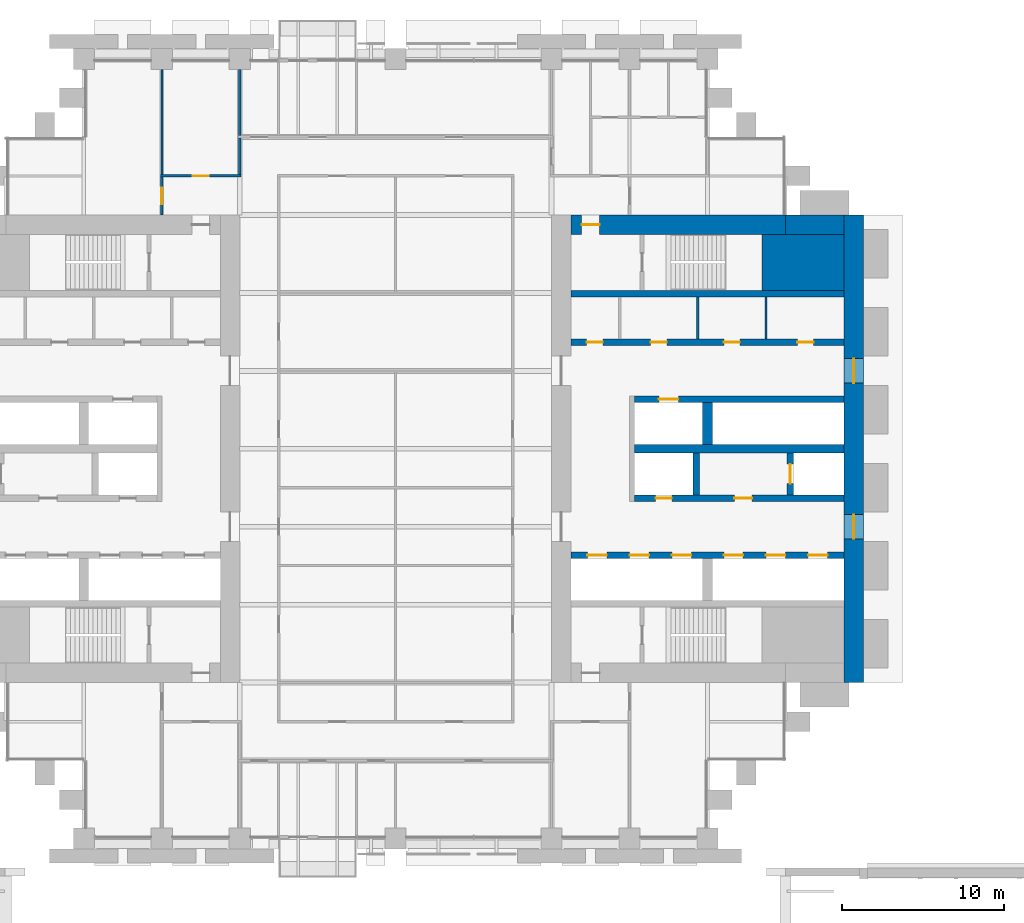
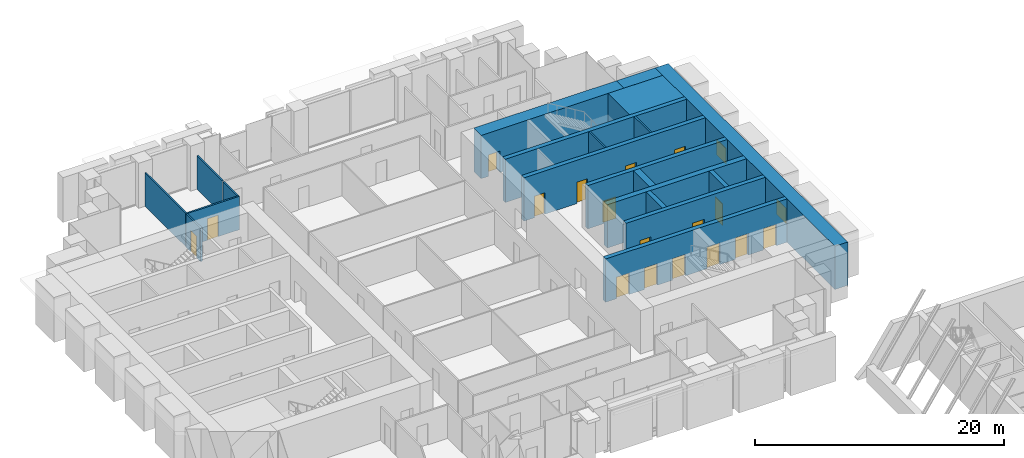
# One storey, part 26 of 32: 20 walls, 17 doors, 2 windows, 19 openings.
"""IFC4 building model written with IfcOpenShell, lengths in metres."""

import ifcopenshell
import ifcopenshell.guid

model = None  # the IFC model being written
_history = None  # IfcOwnerHistory: only IFC2X3 demands one
_inside = {}  # id of a spatial element -> (the spatial element, [elements in it])
_under = {}  # id of a project, library or spatial element -> (it, [spatial elements below it])
_declared = {}  # id of a project -> (the project, [libraries it declares])
_typed = {}  # id of a type object -> (the type object, [elements of that type])
_made_of = {}  # id of a material, layer set ... -> (it, [elements and type objects made of it])


def new_model(schema):
    """Start an empty IFC model of exactly this schema.

    Asked for "IFC4X3", IfcOpenShell would pick the latest addendum, in which some entities
    have other attributes; the version numbers below select the first issue.
    IFC2X3 requires an IfcOwnerHistory on every rooted entity: one is made here for all.
    """
    global model, _history
    if schema == "IFC4X3":
        model = ifcopenshell.file(schema_version=(4, 3, 0, 0))
    else:
        model = ifcopenshell.file(schema=schema)
    _inside.clear()
    _under.clear()
    _declared.clear()
    _typed.clear()
    _made_of.clear()
    _history = None
    if model.schema == "IFC2X3":
        org = make("IfcOrganization", Name="unknown")
        user = make(
            "IfcPersonAndOrganization",
            ThePerson=make("IfcPerson", FamilyName="unknown"),
            TheOrganization=org,
        )
        app = make(
            "IfcApplication",
            ApplicationDeveloper=org,
            Version="unknown",
            ApplicationFullName="unknown",
            ApplicationIdentifier="unknown",
        )
        _history = make(
            "IfcOwnerHistory",
            OwningUser=user,
            OwningApplication=app,
            ChangeAction="ADDED",
            CreationDate=0,
        )
    return model


def make(cls, **values):
    """One entity of the class cls with the attributes given. An attribute that is None is left unset."""
    return model.create_entity(
        cls, **{name: value for name, value in values.items() if value is not None}
    )


def rooted(cls, **values):
    """An entity with a GlobalId (a new one), such as an element, a storey or a relation."""
    return make(cls, GlobalId=ifcopenshell.guid.new(), OwnerHistory=_history, **values)


def si_unit(unit_type, name, prefix=None):
    """IfcSIUnit, for example si_unit("LENGTHUNIT", "METRE", prefix="MILLI")."""
    return make("IfcSIUnit", UnitType=unit_type, Prefix=prefix, Name=name)


def assignment(units):
    """IfcUnitAssignment: the units of a project."""
    return None if units is None else make("IfcUnitAssignment", Units=units)


def point(xyz):
    """IfcCartesianPoint."""
    return None if xyz is None else make("IfcCartesianPoint", Coordinates=xyz)


def direction(xyz):
    """IfcDirection."""
    return None if xyz is None else make("IfcDirection", DirectionRatios=xyz)


def frame(location, z_axis=None, x_axis=None):
    """IfcAxis2Placement3D, a coordinate frame: its origin and axes. An axis left out is left unset."""
    return make(
        "IfcAxis2Placement3D",
        Location=point(location),
        Axis=direction(z_axis),
        RefDirection=direction(x_axis),
    )


def frame_2d(location, x_axis=None):
    """IfcAxis2Placement2D, a coordinate frame in the plane: its origin and x axis."""
    return make(
        "IfcAxis2Placement2D", Location=point(location), RefDirection=direction(x_axis)
    )


def origin():
    """The frame at (0, 0, 0) with its axes left unset."""
    return frame((0.0, 0.0, 0.0))


def place(relative_to, where):
    """IfcLocalPlacement: puts the frame where relative to a parent placement (None: the world)."""
    return make(
        "IfcLocalPlacement", PlacementRelTo=relative_to, RelativePlacement=where
    )


def context(
    kind, dimensions, precision=None, world=None, true_north=None, identifier=None
):
    """IfcGeometricRepresentationContext, for example the 3D "Model" context."""
    return make(
        "IfcGeometricRepresentationContext",
        ContextIdentifier=identifier,
        ContextType=kind,
        CoordinateSpaceDimension=dimensions,
        Precision=precision,
        WorldCoordinateSystem=world,
        TrueNorth=true_north,
    )


def subcontext(parent, identifier, kind, view, scale=None):
    """IfcGeometricRepresentationSubContext, for example "Body" below "Model"."""
    return make(
        "IfcGeometricRepresentationSubContext",
        ContextIdentifier=identifier,
        ContextType=kind,
        ParentContext=parent,
        TargetScale=scale,
        TargetView=view,
    )


def project(units=None, contexts=None):
    """IfcProject with its units and contexts."""
    return rooted(
        "IfcProject",
        Name="project",
        RepresentationContexts=contexts,
        UnitsInContext=assignment(units),
    )


def spatial(cls, under=None, at=None, **own):
    """A site, building, storey or space (cls), placed at a placement, below another one or the project."""
    s = rooted(cls, ObjectPlacement=at, **own)
    if under is not None:
        _under.setdefault(under.id(), (under, []))[1].append(s)
    return s


def profile(cls, at=None, kind="AREA", **sizes):
    """A parametric profile (cls). Its sizes go by their IFC names, for example OverallWidth=200.0."""
    return make(cls, ProfileType=kind, Position=at, **sizes)


def rectangle(**sizes):
    """IfcRectangleProfileDef."""
    return profile("IfcRectangleProfileDef", **sizes)


def extrude(swept, where, along, depth):
    """IfcExtrudedAreaSolid: the profile swept, set in the frame where, extruded along a direction by depth."""
    return make(
        "IfcExtrudedAreaSolid",
        SweptArea=swept,
        Position=where,
        ExtrudedDirection=direction(along),
        Depth=depth,
    )


def shape(context_of_items, identifier, shape_type, items):
    """IfcShapeRepresentation: the items that make up one representation, for example the "Body"."""
    return make(
        "IfcShapeRepresentation",
        ContextOfItems=context_of_items,
        RepresentationIdentifier=identifier,
        RepresentationType=shape_type,
        Items=items,
    )


def material(Name=None, Category=None):
    """IfcMaterial."""
    return make("IfcMaterial", Name=Name, Category=Category)


def layer(
    of_material, thickness, ventilated=None, Name=None, Category=None, Priority=None
):
    """IfcMaterialLayer: one layer of a wall or slab, of a material (None: an air gap)."""
    return make(
        "IfcMaterialLayer",
        Material=of_material,
        LayerThickness=thickness,
        IsVentilated=ventilated,
        Name=Name,
        Category=Category,
        Priority=Priority,
    )


def layer_set(layers, Name=None):
    """IfcMaterialLayerSet."""
    return make("IfcMaterialLayerSet", MaterialLayers=layers, LayerSetName=Name)


def made_of(thing, what):
    """Note that an element or type object is made of a material, layer set ...; save() writes the relation."""
    if what is not None:
        _made_of.setdefault(what.id(), (what, []))[1].append(thing)
    return thing


def type_object(cls, material=None, **own):
    """A type object (cls), such as IfcWallType, which elements share."""
    return made_of(rooted(cls, **own), material)


def element(
    cls,
    number,
    at=None,
    inside=None,
    cuts=None,
    type_object=None,
    material=None,
    context=None,
    identifier="Body",
    shape_type=None,
    held_by="IfcProductDefinitionShape",
    body=None,
    shapes=None,
    **own,
):
    """One element of the class cls, such as IfcWall. Its Tag is "e" and its number.

    at: its placement. inside: the storey or other place that contains it. cuts: it is an
    opening in that element (IfcRelVoidsElement). A single representation is given by context,
    identifier, shape_type and body (its items); several are given by shapes. held_by: the class
    of the entity that holds the representations. save() writes the other relations.
    """
    e = rooted(cls, Tag="e%d" % number, ObjectPlacement=at, **own)
    if body is not None:
        shapes = [shape(context, identifier, shape_type, body)]
    if shapes is not None:
        e.Representation = make(held_by, Representations=shapes)
    if inside is not None:
        _inside.setdefault(inside.id(), (inside, []))[1].append(e)
    if cuts is not None:
        rooted(
            "IfcRelVoidsElement", RelatingBuildingElement=cuts, RelatedOpeningElement=e
        )
    if type_object is not None:
        _typed.setdefault(type_object.id(), (type_object, []))[1].append(e)
    return made_of(e, material)


def fill(opening, filler):
    """IfcRelFillsElement: the door or window that sits in an opening."""
    return rooted(
        "IfcRelFillsElement",
        RelatingOpeningElement=opening,
        RelatedBuildingElement=filler,
    )


def aggregate(whole, parts):
    """IfcRelAggregates: a whole, such as a stair, and the parts it consists of."""
    return rooted("IfcRelAggregates", RelatingObject=whole, RelatedObjects=parts)


def save(model, path):
    """Write the relations noted so far, then the file.

    IfcRelAggregates (storeys below a building ...), IfcRelContainedInSpatialStructure (elements
    in a storey), IfcRelDefinesByType, IfcRelAssociatesMaterial and IfcRelDeclares: one each for
    every whole, place, type object, material and project.
    """
    for whole, parts in _under.values():
        aggregate(whole, parts)
    for where, things in _inside.values():
        rooted(
            "IfcRelContainedInSpatialStructure",
            RelatedElements=things,
            RelatingStructure=where,
        )
    for kind, things in _typed.values():
        rooted("IfcRelDefinesByType", RelatedObjects=things, RelatingType=kind)
    for what, things in _made_of.values():
        rooted("IfcRelAssociatesMaterial", RelatedObjects=things, RelatingMaterial=what)
    for by, libraries in _declared.values():
        rooted("IfcRelDeclares", RelatingContext=by, RelatedDefinitions=libraries)
    model.write(path)


model = new_model("IFC4")

# Units and contexts
model_context = context("Model", 3, precision=1e-05, world=origin(), true_north=direction((0.0, 1.0)))
body_context = subcontext(model_context, "Body", "Model", "MODEL_VIEW")
ifc_project = project(units=[si_unit("LENGTHUNIT", "METRE"), si_unit("AREAUNIT", "SQUARE_METRE"), si_unit("VOLUMEUNIT", "CUBIC_METRE"), si_unit("PLANEANGLEUNIT", "RADIAN"), si_unit("MASSUNIT", "GRAM", prefix="KILO")], contexts=[model_context])

# Site, building, storey
site_placement = place(None, origin())
site = spatial("IfcSite", under=ifc_project, at=site_placement, CompositionType="ELEMENT")
building_placement = place(site_placement, origin())
building = spatial("IfcBuilding", under=site, at=building_placement, Name="Baori Bourse Tower", CompositionType="ELEMENT")
storey_placement = place(building_placement, frame((0.0, 0.0, 21.39990234375)))
storey = spatial("IfcBuildingStorey", under=building, at=storey_placement, Name="L03", CompositionType="ELEMENT", Elevation=21.39990234375)

# Walls
ifc_material_1 = material(Name="Concrete f'c 70 MPa", Category="concrete")
wall_type_1 = type_object("IfcWallType", Name="Core corner block f'c 70", PredefinedType="SHEAR", material=ifc_material_1)
wall_1_placement = place(storey_placement, frame((51.35009765625, 35.47509765625, 0.0), z_axis=(0.0, 0.0, 1.0), x_axis=(1.0, 0.0, 0.0)))
element("IfcWall", 1, at=wall_1_placement, inside=storey, type_object=wall_type_1, Name="Core wall E22", PredefinedType="SHEAR", context=body_context, shape_type="SweptSolid", body=[
    extrude(rectangle(XDim=5.0498046875, YDim=3.449951171875, at=frame_2d((2.52490234375, 0.0))), origin(), (0.0, 0.0, 1.0), 4.239990234375),
])
ifc_material_2 = material(Name="Blockwork partition", Category="masonry")
ifc_layer_1 = layer(ifc_material_2, 0.14990234375)
ifc_layer_set_1 = layer_set([ifc_layer_1], Name="Core partition 150")
wall_type_2 = type_object("IfcWallType", Name="Core partition 150", PredefinedType="PARTITIONING", material=ifc_layer_set_1)
for number, where, z_axis, x_axis, name in (
    (2, (51.60009765625, 30.75, 0.0), (0.0, 0.0, 1.0), (0.0, 1.0, 0.0), "Partition wall E18"),
    (3, (47.39990234375, 30.75, 0.0), (0.0, 0.0, 1.0), (0.0, 1.0, 0.0), "Partition wall E19"),
):
    element("IfcWall", number, at=place(storey_placement, frame(where, z_axis=z_axis, x_axis=x_axis)), inside=storey, type_object=wall_type_2, Name=name, PredefinedType="PARTITIONING", context=body_context, shape_type="SweptSolid", body=[
        extrude(rectangle(XDim=2.60009765625, YDim=0.14990234375, at=frame_2d((1.300048828125, 0.0))), origin(), (0.0, 0.0, 1.0), 4.239990234375),
    ])

# Wall, openings, windows
ifc_material_3 = material(Name="Concrete f'c 70 MPa", Category="concrete")
ifc_layer_2 = layer(ifc_material_3, 1.199951171875)
ifc_layer_set_2 = layer_set([ifc_layer_2], Name="Core wall 1200 f'c 70")
wall_type_3 = type_object("IfcWallType", Name="Core wall 1200 f'c 70", PredefinedType="SHEAR", material=ifc_layer_set_2)
wall_2_placement = place(storey_placement, frame((57.0, 38.39990234375, 0.0), z_axis=(0.0, 0.0, 1.0), x_axis=(0.0, -1.0, 0.0)))
wall_2 = element("IfcWall", 4, at=wall_2_placement, inside=storey, type_object=wall_type_3, Name="Core wall E01", PredefinedType="SHEAR", context=body_context, shape_type="SweptSolid", body=[
    extrude(rectangle(XDim=28.7998046875, YDim=1.199951171875, at=frame_2d((14.39990234375, 0.0))), origin(), (0.0, 0.0, 1.0), 4.239990234375),
])
opening_1_placement = place(wall_2_placement, frame((18.449951171875, 0.0, 0.89990234375)))
opening_1 = element("IfcOpeningElement", 5, at=opening_1_placement, cuts=wall_2, Name="Opening L03-KW201", PredefinedType="OPENING", context=body_context, shape_type="SweptSolid", body=[
    extrude(rectangle(XDim=1.5, YDim=1.5, at=frame_2d((0.75, 0.75))), frame((0.0, 0.60986328125, 0.0), z_axis=(0.0, -1.0, 0.0), x_axis=(1.0, 0.0, 0.0)), (0.0, 0.0, 1.0), 1.219970703125),
])
opening_2_placement = place(wall_2_placement, frame((8.85009765625, 0.0, 0.89990234375)))
opening_2 = element("IfcOpeningElement", 6, at=opening_2_placement, cuts=wall_2, Name="Opening L03-KW202", PredefinedType="OPENING", context=body_context, shape_type="SweptSolid", body=[
    extrude(rectangle(XDim=1.5, YDim=1.5, at=frame_2d((0.75, 0.75))), frame((0.0, 0.60986328125, 0.0), z_axis=(0.0, -1.0, 0.0), x_axis=(1.0, 0.0, 0.0)), (0.0, 0.0, 1.0), 1.219970703125),
])
ifc_material_4 = material(Name="Pale anodised aluminium", Category="aluminium")
window_type = type_object("IfcWindowType", Name="Lobby window 1500 x 1500", PartitioningType="SINGLE_PANEL", PredefinedType="WINDOW", material=ifc_material_4)
window_1_placement = place(opening_1_placement, origin())
window_1 = element("IfcWindow", 7, at=window_1_placement, inside=storey, type_object=window_type, Name="Outer wall window E L03 1", OverallHeight=1.5, OverallWidth=1.5, PartitioningType="SINGLE_PANEL", PredefinedType="WINDOW", context=body_context, shape_type="SweptSolid", body=[
    extrude(rectangle(XDim=1.5, YDim=1.5, at=frame_2d((0.75, 0.75))), frame((0.0, 0.030029296875, 0.0), z_axis=(0.0, -1.0, 0.0), x_axis=(1.0, 0.0, 0.0)), (0.0, 0.0, 1.0), 0.06005859375),
])
fill(opening_1, window_1)
window_2_placement = place(opening_2_placement, origin())
window_2 = element("IfcWindow", 8, at=window_2_placement, inside=storey, type_object=window_type, Name="Outer wall window E L03 2", OverallHeight=1.5, OverallWidth=1.5, PartitioningType="SINGLE_PANEL", PredefinedType="WINDOW", context=body_context, shape_type="SweptSolid", body=[
    extrude(rectangle(XDim=1.5, YDim=1.5, at=frame_2d((0.75, 0.75))), frame((0.0, 0.030029296875, 0.0), z_axis=(0.0, -1.0, 0.0), x_axis=(1.0, 0.0, 0.0)), (0.0, 0.0, 1.0), 0.06005859375),
])
fill(opening_2, window_2)

# Wall
wall_3_placement = place(storey_placement, frame((52.800048828125, 37.800048828125, 0.0), z_axis=(0.0, 0.0, 1.0), x_axis=(1.0, 0.0, 0.0)))
element("IfcWall", 9, at=wall_3_placement, inside=storey, type_object=wall_type_3, Name="Core wall E24", PredefinedType="SHEAR", context=body_context, shape_type="SweptSolid", body=[
    extrude(rectangle(XDim=3.599853515625, YDim=1.199951171875, at=frame_2d((1.7998046875, 0.0))), origin(), (0.0, 0.0, 1.0), 4.239990234375),
])

# Wall, opening, door
wall_4_placement = place(storey_placement, frame((39.60009765625, 37.800048828125, 0.0), z_axis=(0.0, 0.0, 1.0), x_axis=(1.0, 0.0, 0.0)))
wall_4 = element("IfcWall", 10, at=wall_4_placement, inside=storey, type_object=wall_type_3, Name="Core wall E25", PredefinedType="SHEAR", context=body_context, shape_type="SweptSolid", body=[
    extrude(rectangle(XDim=13.199951171875, YDim=1.199951171875, at=frame_2d((6.60009765625, 0.0))), origin(), (0.0, 0.0, 1.0), 4.239990234375),
])
opening_3_placement = place(wall_4_placement, frame((0.64990234375, 0.0, 0.0)))
opening_3 = element("IfcOpeningElement", 11, at=opening_3_placement, cuts=wall_4, Name="Opening L03-D204", PredefinedType="OPENING", context=body_context, shape_type="SweptSolid", body=[
    extrude(rectangle(XDim=1.10009765625, YDim=2.10009765625, at=frame_2d((0.550048828125, 1.050048828125))), frame((0.0, 0.60986328125, 0.0), z_axis=(0.0, -1.0, 0.0), x_axis=(1.0, 0.0, 0.0)), (0.0, 0.0, 1.0), 1.219970703125),
])
ifc_material_5 = material(Name="Painted steel door", Category="steel")
door_type_1 = type_object("IfcDoorType", Name="Stair door 1100", OperationType="SINGLE_SWING_LEFT", PredefinedType="DOOR", material=ifc_material_5)
door_1_placement = place(opening_3_placement, origin())
door_1 = element("IfcDoor", 12, at=door_1_placement, inside=storey, type_object=door_type_1, Name="Stair vestibule door B E L03", OperationType="SINGLE_SWING_LEFT", OverallHeight=2.10009765625, OverallWidth=1.10009765625, PredefinedType="DOOR", context=body_context, shape_type="SweptSolid", body=[
    extrude(rectangle(XDim=1.10009765625, YDim=2.10009765625, at=frame_2d((0.550048828125, 1.050048828125))), frame((0.0, 0.02490234375, 0.0), z_axis=(0.0, -1.0, 0.0), x_axis=(1.0, 0.0, 0.0)), (0.0, 0.0, 1.0), 0.050048828125),
])
fill(opening_3, door_1)

ifc_material_6 = material(Name="Gypsum board partition")
ifc_layer_3 = layer(ifc_material_6, 0.14990234375)
ifc_layer_set_3 = layer_set([ifc_layer_3], Name="Corridor partition 150")
wall_type_4 = type_object("IfcWallType", Name="Corridor partition 150", PredefinedType="PARTITIONING", material=ifc_layer_set_3)
wall_5_placement = place(storey_placement, frame((14.324951171875, 40.800048828125, 0.0), z_axis=(0.0, 0.0, 1.0), x_axis=(1.0, 0.0, 0.0)))
wall_5 = element("IfcWall", 13, at=wall_5_placement, inside=storey, type_object=wall_type_4, Name="Partition", PredefinedType="PARTITIONING", context=body_context, shape_type="SweptSolid", body=[
    extrude(rectangle(XDim=4.949951171875, YDim=0.14990234375, at=frame_2d((2.47509765625, 0.0))), origin(), (0.0, 0.0, 1.0), 3.269775390625),
])
opening_4_placement = place(wall_5_placement, frame((1.97509765625, 0.0, 0.0)))
opening_4 = element("IfcOpeningElement", 14, at=opening_4_placement, cuts=wall_5, Name="Opening L03-D09", PredefinedType="OPENING", context=body_context, shape_type="SweptSolid", body=[
    extrude(rectangle(XDim=1.0, YDim=2.10009765625, at=frame_2d((0.5, 1.050048828125))), frame((0.0, 0.0849609375, 0.0), z_axis=(0.0, -1.0, 0.0), x_axis=(1.0, 0.0, 0.0)), (0.0, 0.0, 1.0), 0.169921875),
])
ifc_material_7 = material(Name="Timber door leaf", Category="wood")
door_type_2 = type_object("IfcDoorType", Name="Door 1000 x 2100", OperationType="SINGLE_SWING_LEFT", PredefinedType="DOOR", material=ifc_material_7)
door_2_placement = place(opening_4_placement, origin())
door_2 = element("IfcDoor", 15, at=door_2_placement, inside=storey, type_object=door_type_2, Name="Door", OperationType="SINGLE_SWING_LEFT", OverallHeight=2.10009765625, OverallWidth=1.0, PredefinedType="DOOR", context=body_context, shape_type="SweptSolid", body=[
    extrude(rectangle(XDim=1.0, YDim=2.10009765625, at=frame_2d((0.5, 1.050048828125))), frame((0.0, 0.02490234375, 0.0), z_axis=(0.0, -1.0, 0.0), x_axis=(1.0, 0.0, 0.0)), (0.0, 0.0, 1.0), 0.050048828125),
])
fill(opening_4, door_2)

wall_6_placement = place(storey_placement, frame((14.39990234375, 38.39990234375, 0.0), z_axis=(0.0, 0.0, 1.0), x_axis=(0.0, 1.0, 0.0)))
wall_6 = element("IfcWall", 16, at=wall_6_placement, inside=storey, type_object=wall_type_4, Name="Partition", PredefinedType="PARTITIONING", context=body_context, shape_type="SweptSolid", body=[
    extrude(rectangle(XDim=2.3251953125, YDim=0.14990234375, at=frame_2d((1.16259765625, 0.0))), origin(), (0.0, 0.0, 1.0), 3.269775390625),
])
opening_5_placement = place(wall_6_placement, frame((0.66259765625, 0.0, 0.0)))
opening_5 = element("IfcOpeningElement", 17, at=opening_5_placement, cuts=wall_6, Name="Opening L03-D20", PredefinedType="OPENING", context=body_context, shape_type="SweptSolid", body=[
    extrude(rectangle(XDim=1.0, YDim=2.10009765625, at=frame_2d((0.5, 1.050048828125))), frame((0.0, 0.0849609375, 0.0), z_axis=(0.0, -1.0, 0.0), x_axis=(1.0, 0.0, 0.0)), (0.0, 0.0, 1.0), 0.169921875),
])
door_3_placement = place(opening_5_placement, origin())
door_3 = element("IfcDoor", 18, at=door_3_placement, inside=storey, type_object=door_type_2, Name="Door", OperationType="SINGLE_SWING_RIGHT", OverallHeight=2.10009765625, OverallWidth=1.0, PredefinedType="DOOR", context=body_context, shape_type="SweptSolid", body=[
    extrude(rectangle(XDim=1.0, YDim=2.10009765625, at=frame_2d((0.5, 1.050048828125))), frame((0.0, 0.02490234375, 0.0), z_axis=(0.0, -1.0, 0.0), x_axis=(1.0, 0.0, 0.0)), (0.0, 0.0, 1.0), 0.050048828125),
])
fill(opening_5, door_3)

# Walls
wall_7_placement = place(storey_placement, frame((19.199951171875, 40.875, 0.0), z_axis=(0.0, 0.0, 1.0), x_axis=(0.0, 1.0, 0.0)))
element("IfcWall", 19, at=wall_7_placement, inside=storey, type_object=wall_type_4, Name="Partition", PredefinedType="PARTITIONING", context=body_context, shape_type="SweptSolid", body=[
    extrude(rectangle(XDim=2.25, YDim=0.14990234375, at=frame_2d((1.125, 0.0))), origin(), (0.0, 0.0, 1.0), 3.269775390625),
])
ifc_material_8 = material(Name="Gypsum board partition")
ifc_layer_4 = layer(ifc_material_8, 0.125)
ifc_layer_set_4 = layer_set([ifc_layer_4], Name="Partition 125")
wall_type_5 = type_object("IfcWallType", Name="Partition 125", PredefinedType="PARTITIONING", material=ifc_layer_set_4)
wall_8_placement = place(storey_placement, frame((14.39990234375, 40.875, 0.0), z_axis=(0.0, 0.0, 1.0), x_axis=(0.0, 1.0, 0.0)))
element("IfcWall", 20, at=wall_8_placement, inside=storey, type_object=wall_type_5, Name="Partition", PredefinedType="PARTITIONING", context=body_context, shape_type="SweptSolid", body=[
    extrude(rectangle(XDim=6.47509765625, YDim=0.125, at=frame_2d((3.237548828125, 0.0))), origin(), (0.0, 0.0, 1.0), 3.269775390625),
])
wall_9_placement = place(storey_placement, frame((19.199951171875, 43.27490234375, 0.0), z_axis=(0.0, 0.0, 1.0), x_axis=(0.0, 1.0, 0.0)))
element("IfcWall", 21, at=wall_9_placement, inside=storey, type_object=wall_type_5, Name="Partition", PredefinedType="PARTITIONING", context=body_context, shape_type="SweptSolid", body=[
    extrude(rectangle(XDim=4.0751953125, YDim=0.125, at=frame_2d((2.03759765625, 0.0))), origin(), (0.0, 0.0, 1.0), 3.269775390625),
])

# Wall, openings, doors
ifc_material_9 = material(Name="Concrete f'c 70 MPa", Category="concrete")
ifc_layer_5 = layer(ifc_material_9, 0.39990234375)
ifc_layer_set_5 = layer_set([ifc_layer_5], Name="Shaft wall 400 f'c 70")
wall_type_6 = type_object("IfcWallType", Name="Shaft wall 400 f'c 70", PredefinedType="SHEAR", material=ifc_layer_set_5)
wall_10_placement = place(storey_placement, frame((39.60009765625, 17.449951171875, 0.0), z_axis=(0.0, 0.0, 1.0), x_axis=(1.0, 0.0, 0.0)))
wall_10 = element("IfcWall", 22, at=wall_10_placement, inside=storey, type_object=wall_type_6, Name="Core wall E09", PredefinedType="SHEAR", context=body_context, shape_type="SweptSolid", body=[
    extrude(rectangle(XDim=16.7998046875, YDim=0.39990234375, at=frame_2d((8.39990234375, 0.0))), origin(), (0.0, 0.0, 1.0), 4.239990234375),
])
opening_6_placement = place(wall_10_placement, frame((14.60009765625, 0.0, 0.0)))
opening_6 = element("IfcOpeningElement", 23, at=opening_6_placement, cuts=wall_10, Name="Opening L03-D213", PredefinedType="OPENING", context=body_context, shape_type="SweptSolid", body=[
    extrude(rectangle(XDim=1.199951171875, YDim=2.10009765625, at=frame_2d((0.60009765625, 1.050048828125))), frame((0.0, 0.2099609375, 0.0), z_axis=(0.0, -1.0, 0.0), x_axis=(1.0, 0.0, 0.0)), (0.0, 0.0, 1.0), 0.419921875),
])
opening_7_placement = place(wall_10_placement, frame((12.0, 0.0, 0.0)))
opening_7 = element("IfcOpeningElement", 24, at=opening_7_placement, cuts=wall_10, Name="Opening L03-D214", PredefinedType="OPENING", context=body_context, shape_type="SweptSolid", body=[
    extrude(rectangle(XDim=1.199951171875, YDim=2.10009765625, at=frame_2d((0.60009765625, 1.050048828125))), frame((0.0, 0.2099609375, 0.0), z_axis=(0.0, -1.0, 0.0), x_axis=(1.0, 0.0, 0.0)), (0.0, 0.0, 1.0), 0.419921875),
])
opening_8_placement = place(wall_10_placement, frame((9.39990234375, 0.0, 0.0)))
opening_8 = element("IfcOpeningElement", 25, at=opening_8_placement, cuts=wall_10, Name="Opening L03-D215", PredefinedType="OPENING", context=body_context, shape_type="SweptSolid", body=[
    extrude(rectangle(XDim=1.199951171875, YDim=2.10009765625, at=frame_2d((0.60009765625, 1.050048828125))), frame((0.0, 0.2099609375, 0.0), z_axis=(0.0, -1.0, 0.0), x_axis=(1.0, 0.0, 0.0)), (0.0, 0.0, 1.0), 0.419921875),
])
opening_9_placement = place(wall_10_placement, frame((6.199951171875, 0.0, 0.0)))
opening_9 = element("IfcOpeningElement", 26, at=opening_9_placement, cuts=wall_10, Name="Opening L03-D216", PredefinedType="OPENING", context=body_context, shape_type="SweptSolid", body=[
    extrude(rectangle(XDim=1.199951171875, YDim=2.10009765625, at=frame_2d((0.60009765625, 1.050048828125))), frame((0.0, 0.2099609375, 0.0), z_axis=(0.0, -1.0, 0.0), x_axis=(1.0, 0.0, 0.0)), (0.0, 0.0, 1.0), 0.419921875),
])
opening_10_placement = place(wall_10_placement, frame((3.60009765625, 0.0, 0.0)))
opening_10 = element("IfcOpeningElement", 27, at=opening_10_placement, cuts=wall_10, Name="Opening L03-D217", PredefinedType="OPENING", context=body_context, shape_type="SweptSolid", body=[
    extrude(rectangle(XDim=1.199951171875, YDim=2.10009765625, at=frame_2d((0.60009765625, 1.050048828125))), frame((0.0, 0.2099609375, 0.0), z_axis=(0.0, -1.0, 0.0), x_axis=(1.0, 0.0, 0.0)), (0.0, 0.0, 1.0), 0.419921875),
])
opening_11_placement = place(wall_10_placement, frame((1.0, 0.0, 0.0)))
opening_11 = element("IfcOpeningElement", 28, at=opening_11_placement, cuts=wall_10, Name="Opening L03-D218", PredefinedType="OPENING", context=body_context, shape_type="SweptSolid", body=[
    extrude(rectangle(XDim=1.199951171875, YDim=2.10009765625, at=frame_2d((0.60009765625, 1.050048828125))), frame((0.0, 0.2099609375, 0.0), z_axis=(0.0, -1.0, 0.0), x_axis=(1.0, 0.0, 0.0)), (0.0, 0.0, 1.0), 0.419921875),
])
ifc_material_10 = material(Name="Stainless steel door", Category="steel")
door_type_3 = type_object("IfcDoorType", Name="Lift landing door", OperationType="DOUBLE_DOOR_SLIDING", PredefinedType="DOOR", material=ifc_material_10)
door_4_placement = place(opening_6_placement, origin())
door_4 = element("IfcDoor", 29, at=door_4_placement, inside=storey, type_object=door_type_3, Name="Lift landing door LR1 E L03", OperationType="DOUBLE_DOOR_SLIDING", OverallHeight=2.10009765625, OverallWidth=1.199951171875, PredefinedType="DOOR", context=body_context, shape_type="SweptSolid", body=[
    extrude(rectangle(XDim=1.199951171875, YDim=2.10009765625, at=frame_2d((0.60009765625, 1.050048828125))), frame((0.0, 0.02490234375, 0.0), z_axis=(0.0, -1.0, 0.0), x_axis=(1.0, 0.0, 0.0)), (0.0, 0.0, 1.0), 0.050048828125),
])
fill(opening_6, door_4)
door_5_placement = place(opening_7_placement, origin())
door_5 = element("IfcDoor", 30, at=door_5_placement, inside=storey, type_object=door_type_3, Name="Lift landing door LR2 E L03", OperationType="DOUBLE_DOOR_SLIDING", OverallHeight=2.10009765625, OverallWidth=1.199951171875, PredefinedType="DOOR", context=body_context, shape_type="SweptSolid", body=[
    extrude(rectangle(XDim=1.199951171875, YDim=2.10009765625, at=frame_2d((0.60009765625, 1.050048828125))), frame((0.0, 0.02490234375, 0.0), z_axis=(0.0, -1.0, 0.0), x_axis=(1.0, 0.0, 0.0)), (0.0, 0.0, 1.0), 0.050048828125),
])
fill(opening_7, door_5)
door_6_placement = place(opening_8_placement, origin())
door_6 = element("IfcDoor", 31, at=door_6_placement, inside=storey, type_object=door_type_3, Name="Lift landing door LR3 E L03", OperationType="DOUBLE_DOOR_SLIDING", OverallHeight=2.10009765625, OverallWidth=1.199951171875, PredefinedType="DOOR", context=body_context, shape_type="SweptSolid", body=[
    extrude(rectangle(XDim=1.199951171875, YDim=2.10009765625, at=frame_2d((0.60009765625, 1.050048828125))), frame((0.0, 0.02490234375, 0.0), z_axis=(0.0, -1.0, 0.0), x_axis=(1.0, 0.0, 0.0)), (0.0, 0.0, 1.0), 0.050048828125),
])
fill(opening_8, door_6)
door_7_placement = place(opening_9_placement, origin())
door_7 = element("IfcDoor", 32, at=door_7_placement, inside=storey, type_object=door_type_3, Name="Lift landing door LR4 E L03", OperationType="DOUBLE_DOOR_SLIDING", OverallHeight=2.10009765625, OverallWidth=1.199951171875, PredefinedType="DOOR", context=body_context, shape_type="SweptSolid", body=[
    extrude(rectangle(XDim=1.199951171875, YDim=2.10009765625, at=frame_2d((0.60009765625, 1.050048828125))), frame((0.0, 0.02490234375, 0.0), z_axis=(0.0, -1.0, 0.0), x_axis=(1.0, 0.0, 0.0)), (0.0, 0.0, 1.0), 0.050048828125),
])
fill(opening_9, door_7)
door_8_placement = place(opening_10_placement, origin())
door_8 = element("IfcDoor", 33, at=door_8_placement, inside=storey, type_object=door_type_3, Name="Lift landing door LR5 E L03", OperationType="DOUBLE_DOOR_SLIDING", OverallHeight=2.10009765625, OverallWidth=1.199951171875, PredefinedType="DOOR", context=body_context, shape_type="SweptSolid", body=[
    extrude(rectangle(XDim=1.199951171875, YDim=2.10009765625, at=frame_2d((0.60009765625, 1.050048828125))), frame((0.0, 0.02490234375, 0.0), z_axis=(0.0, -1.0, 0.0), x_axis=(1.0, 0.0, 0.0)), (0.0, 0.0, 1.0), 0.050048828125),
])
fill(opening_10, door_8)
door_9_placement = place(opening_11_placement, origin())
door_9 = element("IfcDoor", 34, at=door_9_placement, inside=storey, type_object=door_type_3, Name="Lift landing door LR6 E L03", OperationType="DOUBLE_DOOR_SLIDING", OverallHeight=2.10009765625, OverallWidth=1.199951171875, PredefinedType="DOOR", context=body_context, shape_type="SweptSolid", body=[
    extrude(rectangle(XDim=1.199951171875, YDim=2.10009765625, at=frame_2d((0.60009765625, 1.050048828125))), frame((0.0, 0.02490234375, 0.0), z_axis=(0.0, -1.0, 0.0), x_axis=(1.0, 0.0, 0.0)), (0.0, 0.0, 1.0), 0.050048828125),
])
fill(opening_11, door_9)

wall_11_placement = place(storey_placement, frame((43.5, 20.949951171875, 0.0), z_axis=(0.0, 0.0, 1.0), x_axis=(1.0, 0.0, 0.0)))
wall_11 = element("IfcWall", 35, at=wall_11_placement, inside=storey, type_object=wall_type_6, Name="Core wall E10", PredefinedType="SHEAR", context=body_context, shape_type="SweptSolid", body=[
    extrude(rectangle(XDim=12.89990234375, YDim=0.39990234375, at=frame_2d((6.449951171875, 0.0))), origin(), (0.0, 0.0, 1.0), 4.239990234375),
])
opening_12_placement = place(wall_11_placement, frame((6.14990234375, 0.0, 0.0)))
opening_12 = element("IfcOpeningElement", 36, at=opening_12_placement, cuts=wall_11, Name="Opening L03-D205", PredefinedType="OPENING", context=body_context, shape_type="SweptSolid", body=[
    extrude(rectangle(XDim=1.10009765625, YDim=2.10009765625, at=frame_2d((0.550048828125, 1.050048828125))), frame((0.0, 0.2099609375, 0.0), z_axis=(0.0, -1.0, 0.0), x_axis=(1.0, 0.0, 0.0)), (0.0, 0.0, 1.0), 0.419921875),
])
opening_13_placement = place(wall_11_placement, frame((1.300048828125, 0.0, 0.0)))
opening_13 = element("IfcOpeningElement", 37, at=opening_13_placement, cuts=wall_11, Name="Opening L03-D206", PredefinedType="OPENING", context=body_context, shape_type="SweptSolid", body=[
    extrude(rectangle(XDim=1.0, YDim=2.10009765625, at=frame_2d((0.5, 1.050048828125))), frame((0.0, 0.2099609375, 0.0), z_axis=(0.0, -1.0, 0.0), x_axis=(1.0, 0.0, 0.0)), (0.0, 0.0, 1.0), 0.419921875),
])
ifc_material_11 = material(Name="Painted steel door", Category="steel")
door_type_4 = type_object("IfcDoorType", Name="Lobby door 1100", OperationType="SINGLE_SWING_LEFT", PredefinedType="DOOR", material=ifc_material_11)
door_10_placement = place(opening_12_placement, origin())
door_10 = element("IfcDoor", 38, at=door_10_placement, inside=storey, type_object=door_type_4, Name="Firefighting lobby door E L03", OperationType="SINGLE_SWING_LEFT", OverallHeight=2.10009765625, OverallWidth=1.10009765625, PredefinedType="DOOR", context=body_context, shape_type="SweptSolid", body=[
    extrude(rectangle(XDim=1.10009765625, YDim=2.10009765625, at=frame_2d((0.550048828125, 1.050048828125))), frame((0.0, 0.02490234375, 0.0), z_axis=(0.0, -1.0, 0.0), x_axis=(1.0, 0.0, 0.0)), (0.0, 0.0, 1.0), 0.050048828125),
])
fill(opening_12, door_10)
ifc_material_12 = material(Name="Painted steel door", Category="steel")
door_type_5 = type_object("IfcDoorType", Name="Shaft door 1000", OperationType="SINGLE_SWING_LEFT", PredefinedType="DOOR", material=ifc_material_12)
door_11_placement = place(opening_13_placement, origin())
door_11 = element("IfcDoor", 39, at=door_11_placement, inside=storey, type_object=door_type_5, Name="Riser room door E L03", OperationType="SINGLE_SWING_LEFT", OverallHeight=2.10009765625, OverallWidth=1.0, PredefinedType="DOOR", context=body_context, shape_type="SweptSolid", body=[
    extrude(rectangle(XDim=1.0, YDim=2.10009765625, at=frame_2d((0.5, 1.050048828125))), frame((0.0, 0.02490234375, 0.0), z_axis=(0.0, -1.0, 0.0), x_axis=(1.0, 0.0, 0.0)), (0.0, 0.0, 1.0), 0.050048828125),
])
fill(opening_13, door_11)

# Wall, opening, door
wall_12_placement = place(storey_placement, frame((53.10009765625, 21.14990234375, 0.0), z_axis=(0.0, 0.0, 1.0), x_axis=(0.0, 1.0, 0.0)))
wall_12 = element("IfcWall", 40, at=wall_12_placement, inside=storey, type_object=wall_type_6, Name="Core wall E12", PredefinedType="SHEAR", context=body_context, shape_type="SweptSolid", body=[
    extrude(rectangle(XDim=2.60009765625, YDim=0.39990234375, at=frame_2d((1.300048828125, 0.0))), origin(), (0.0, 0.0, 1.0), 4.239990234375),
])
opening_14_placement = place(wall_12_placement, frame((0.699951171875, 0.0, 0.0)))
opening_14 = element("IfcOpeningElement", 41, at=opening_14_placement, cuts=wall_12, Name="Opening L03-D220", PredefinedType="OPENING", context=body_context, shape_type="SweptSolid", body=[
    extrude(rectangle(XDim=1.199951171875, YDim=2.10009765625, at=frame_2d((0.60009765625, 1.050048828125))), frame((0.0, 0.2099609375, 0.0), z_axis=(0.0, -1.0, 0.0), x_axis=(1.0, 0.0, 0.0)), (0.0, 0.0, 1.0), 0.419921875),
])
door_12_placement = place(opening_14_placement, origin())
door_12 = element("IfcDoor", 42, at=door_12_placement, inside=storey, type_object=door_type_3, Name="Lift landing door FF2 E L03", OperationType="DOUBLE_DOOR_SLIDING", OverallHeight=2.10009765625, OverallWidth=1.199951171875, PredefinedType="DOOR", context=body_context, shape_type="SweptSolid", body=[
    extrude(rectangle(XDim=1.199951171875, YDim=2.10009765625, at=frame_2d((0.60009765625, 1.050048828125))), frame((0.0, 0.02490234375, 0.0), z_axis=(0.0, -1.0, 0.0), x_axis=(1.0, 0.0, 0.0)), (0.0, 0.0, 1.0), 0.050048828125),
])
fill(opening_14, door_12)

# Wall
wall_13_placement = place(storey_placement, frame((47.300048828125, 21.14990234375, 0.0), z_axis=(0.0, 0.0, 1.0), x_axis=(0.0, 1.0, 0.0)))
element("IfcWall", 43, at=wall_13_placement, inside=storey, type_object=wall_type_6, Name="Core wall E13", PredefinedType="SHEAR", context=body_context, shape_type="SweptSolid", body=[
    extrude(rectangle(XDim=2.60009765625, YDim=0.39990234375, at=frame_2d((1.300048828125, 0.0))), origin(), (0.0, 0.0, 1.0), 4.239990234375),
])

# Wall, opening, door
wall_14_placement = place(storey_placement, frame((43.5, 27.050048828125, 0.0), z_axis=(0.0, 0.0, 1.0), x_axis=(1.0, 0.0, 0.0)))
wall_14 = element("IfcWall", 44, at=wall_14_placement, inside=storey, type_object=wall_type_6, Name="Core wall E16", PredefinedType="SHEAR", context=body_context, shape_type="SweptSolid", body=[
    extrude(rectangle(XDim=12.89990234375, YDim=0.39990234375, at=frame_2d((6.449951171875, 0.0))), origin(), (0.0, 0.0, 1.0), 4.239990234375),
])
opening_15_placement = place(wall_14_placement, frame((1.5, 0.0, 0.0)))
opening_15 = element("IfcOpeningElement", 45, at=opening_15_placement, cuts=wall_14, Name="Opening L03-D219", PredefinedType="OPENING", context=body_context, shape_type="SweptSolid", body=[
    extrude(rectangle(XDim=1.199951171875, YDim=2.10009765625, at=frame_2d((0.60009765625, 1.050048828125))), frame((0.0, 0.2099609375, 0.0), z_axis=(0.0, -1.0, 0.0), x_axis=(1.0, 0.0, 0.0)), (0.0, 0.0, 1.0), 0.419921875),
])
door_13_placement = place(opening_15_placement, origin())
door_13 = element("IfcDoor", 46, at=door_13_placement, inside=storey, type_object=door_type_3, Name="Lift landing door SV1 E L03", OperationType="DOUBLE_DOOR_SLIDING", OverallHeight=2.10009765625, OverallWidth=1.199951171875, PredefinedType="DOOR", context=body_context, shape_type="SweptSolid", body=[
    extrude(rectangle(XDim=1.199951171875, YDim=2.10009765625, at=frame_2d((0.60009765625, 1.050048828125))), frame((0.0, 0.02490234375, 0.0), z_axis=(0.0, -1.0, 0.0), x_axis=(1.0, 0.0, 0.0)), (0.0, 0.0, 1.0), 0.050048828125),
])
fill(opening_15, door_13)

# Wall, openings, doors
wall_15_placement = place(storey_placement, frame((39.60009765625, 30.550048828125, 0.0), z_axis=(0.0, 0.0, 1.0), x_axis=(1.0, 0.0, 0.0)))
wall_15 = element("IfcWall", 47, at=wall_15_placement, inside=storey, type_object=wall_type_6, Name="Core wall E17", PredefinedType="SHEAR", context=body_context, shape_type="SweptSolid", body=[
    extrude(rectangle(XDim=16.7998046875, YDim=0.39990234375, at=frame_2d((8.39990234375, 0.0))), origin(), (0.0, 0.0, 1.0), 4.239990234375),
])
opening_16_placement = place(wall_15_placement, frame((13.9375, 0.0, 0.0)))
opening_16 = element("IfcOpeningElement", 48, at=opening_16_placement, cuts=wall_15, Name="Opening L03-D209", PredefinedType="OPENING", context=body_context, shape_type="SweptSolid", body=[
    extrude(rectangle(XDim=1.0, YDim=2.10009765625, at=frame_2d((0.5, 1.050048828125))), frame((0.0, 0.2099609375, 0.0), z_axis=(0.0, -1.0, 0.0), x_axis=(1.0, 0.0, 0.0)), (0.0, 0.0, 1.0), 0.419921875),
])
opening_17_placement = place(wall_15_placement, frame((9.39990234375, 0.0, 0.0)))
opening_17 = element("IfcOpeningElement", 49, at=opening_17_placement, cuts=wall_15, Name="Opening L03-D210", PredefinedType="OPENING", context=body_context, shape_type="SweptSolid", body=[
    extrude(rectangle(XDim=1.0, YDim=2.10009765625, at=frame_2d((0.5, 1.050048828125))), frame((0.0, 0.2099609375, 0.0), z_axis=(0.0, -1.0, 0.0), x_axis=(1.0, 0.0, 0.0)), (0.0, 0.0, 1.0), 0.419921875),
])
opening_18_placement = place(wall_15_placement, frame((4.89990234375, 0.0, 0.0)))
opening_18 = element("IfcOpeningElement", 50, at=opening_18_placement, cuts=wall_15, Name="Opening L03-D211", PredefinedType="OPENING", context=body_context, shape_type="SweptSolid", body=[
    extrude(rectangle(XDim=1.0, YDim=2.10009765625, at=frame_2d((0.5, 1.050048828125))), frame((0.0, 0.2099609375, 0.0), z_axis=(0.0, -1.0, 0.0), x_axis=(1.0, 0.0, 0.0)), (0.0, 0.0, 1.0), 0.419921875),
])
opening_19_placement = place(wall_15_placement, frame((0.96240234375, 0.0, 0.0)))
opening_19 = element("IfcOpeningElement", 51, at=opening_19_placement, cuts=wall_15, Name="Opening L03-D212", PredefinedType="OPENING", context=body_context, shape_type="SweptSolid", body=[
    extrude(rectangle(XDim=1.0, YDim=2.10009765625, at=frame_2d((0.5, 1.050048828125))), frame((0.0, 0.2099609375, 0.0), z_axis=(0.0, -1.0, 0.0), x_axis=(1.0, 0.0, 0.0)), (0.0, 0.0, 1.0), 0.419921875),
])
ifc_material_13 = material(Name="Painted steel door", Category="steel")
door_type_6 = type_object("IfcDoorType", Name="Core door 1000", OperationType="SINGLE_SWING_LEFT", PredefinedType="DOOR", material=ifc_material_13)
door_14_placement = place(opening_16_placement, origin())
door_14 = element("IfcDoor", 52, at=door_14_placement, inside=storey, type_object=door_type_6, Name="Men'S Wc door E L03", OperationType="SINGLE_SWING_LEFT", OverallHeight=2.10009765625, OverallWidth=1.0, PredefinedType="DOOR", context=body_context, shape_type="SweptSolid", body=[
    extrude(rectangle(XDim=1.0, YDim=2.10009765625, at=frame_2d((0.5, 1.050048828125))), frame((0.0, 0.02490234375, 0.0), z_axis=(0.0, -1.0, 0.0), x_axis=(1.0, 0.0, 0.0)), (0.0, 0.0, 1.0), 0.050048828125),
])
fill(opening_16, door_14)
door_15_placement = place(opening_17_placement, origin())
door_15 = element("IfcDoor", 53, at=door_15_placement, inside=storey, type_object=door_type_6, Name="Accessible Wc door E L03", OperationType="SINGLE_SWING_LEFT", OverallHeight=2.10009765625, OverallWidth=1.0, PredefinedType="DOOR", context=body_context, shape_type="SweptSolid", body=[
    extrude(rectangle(XDim=1.0, YDim=2.10009765625, at=frame_2d((0.5, 1.050048828125))), frame((0.0, 0.02490234375, 0.0), z_axis=(0.0, -1.0, 0.0), x_axis=(1.0, 0.0, 0.0)), (0.0, 0.0, 1.0), 0.050048828125),
])
fill(opening_17, door_15)
door_16_placement = place(opening_18_placement, origin())
door_16 = element("IfcDoor", 54, at=door_16_placement, inside=storey, type_object=door_type_6, Name="Women'S Wc door E L03", OperationType="SINGLE_SWING_LEFT", OverallHeight=2.10009765625, OverallWidth=1.0, PredefinedType="DOOR", context=body_context, shape_type="SweptSolid", body=[
    extrude(rectangle(XDim=1.0, YDim=2.10009765625, at=frame_2d((0.5, 1.050048828125))), frame((0.0, 0.02490234375, 0.0), z_axis=(0.0, -1.0, 0.0), x_axis=(1.0, 0.0, 0.0)), (0.0, 0.0, 1.0), 0.050048828125),
])
fill(opening_18, door_16)
ifc_material_14 = material(Name="Painted steel door", Category="steel")
door_type_7 = type_object("IfcDoorType", Name="Plant room door 1000", OperationType="SINGLE_SWING_LEFT", PredefinedType="DOOR", material=ifc_material_14)
door_17_placement = place(opening_19_placement, origin())
door_17 = element("IfcDoor", 55, at=door_17_placement, inside=storey, type_object=door_type_7, Name="Electrical Room door E L03", OperationType="SINGLE_SWING_LEFT", OverallHeight=2.10009765625, OverallWidth=1.0, PredefinedType="DOOR", context=body_context, shape_type="SweptSolid", body=[
    extrude(rectangle(XDim=1.0, YDim=2.10009765625, at=frame_2d((0.5, 1.050048828125))), frame((0.0, 0.02490234375, 0.0), z_axis=(0.0, -1.0, 0.0), x_axis=(1.0, 0.0, 0.0)), (0.0, 0.0, 1.0), 0.050048828125),
])
fill(opening_19, door_17)

# Walls
wall_16_placement = place(storey_placement, frame((39.60009765625, 33.550048828125, 0.0), z_axis=(0.0, 0.0, 1.0), x_axis=(1.0, 0.0, 0.0)))
element("IfcWall", 56, at=wall_16_placement, inside=storey, type_object=wall_type_6, Name="Core wall E21", PredefinedType="SHEAR", context=body_context, shape_type="SweptSolid", body=[
    extrude(rectangle(XDim=16.7998046875, YDim=0.39990234375, at=frame_2d((8.39990234375, 0.0))), origin(), (0.0, 0.0, 1.0), 4.239990234375),
])
ifc_material_15 = material(Name="Concrete f'c 70 MPa", Category="concrete")
ifc_layer_6 = layer(ifc_material_15, 0.5)
ifc_layer_set_6 = layer_set([ifc_layer_6], Name="Shaft wall 500 f'c 70")
wall_type_7 = type_object("IfcWallType", Name="Shaft wall 500 f'c 70", PredefinedType="SHEAR", material=ifc_layer_set_6)
wall_17_placement = place(storey_placement, frame((43.5, 24.0, 0.0), z_axis=(0.0, 0.0, 1.0), x_axis=(1.0, 0.0, 0.0)))
element("IfcWall", 57, at=wall_17_placement, inside=storey, type_object=wall_type_7, Name="Core wall E14", PredefinedType="SHEAR", context=body_context, shape_type="SweptSolid", body=[
    extrude(rectangle(XDim=12.89990234375, YDim=0.5, at=frame_2d((6.449951171875, 0.0))), origin(), (0.0, 0.0, 1.0), 4.239990234375),
])
ifc_material_16 = material(Name="Concrete f'c 70 MPa", Category="concrete")
ifc_layer_7 = layer(ifc_material_16, 0.60009765625)
ifc_layer_set_7 = layer_set([ifc_layer_7], Name="Shaft wall 600 f'c 70")
wall_type_8 = type_object("IfcWallType", Name="Shaft wall 600 f'c 70", PredefinedType="SHEAR", material=ifc_layer_set_7)
wall_18_placement = place(storey_placement, frame((48.0, 24.25, 0.0), z_axis=(0.0, 0.0, 1.0), x_axis=(0.0, 1.0, 0.0)))
element("IfcWall", 58, at=wall_18_placement, inside=storey, type_object=wall_type_8, Name="Core wall E15", PredefinedType="SHEAR", context=body_context, shape_type="SweptSolid", body=[
    extrude(rectangle(XDim=2.60009765625, YDim=0.60009765625, at=frame_2d((1.300048828125, 0.0))), origin(), (0.0, 0.0, 1.0), 4.239990234375),
])

save(model, "model.ifc")
